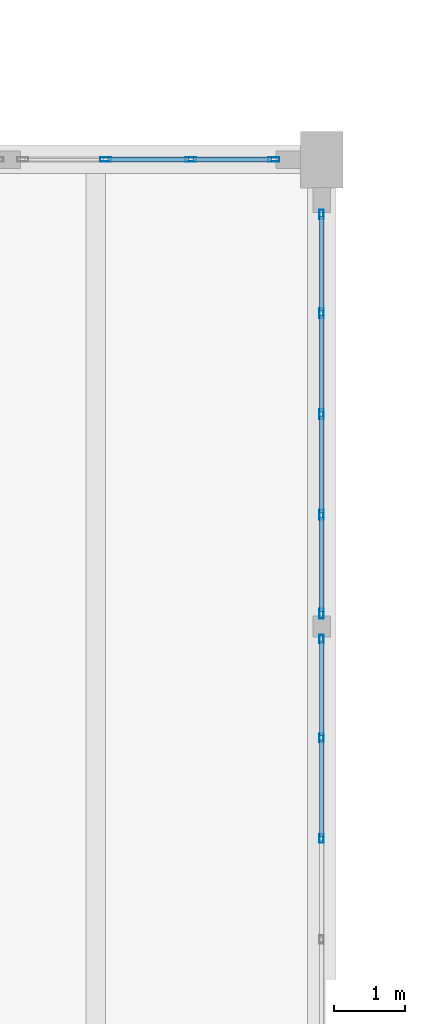
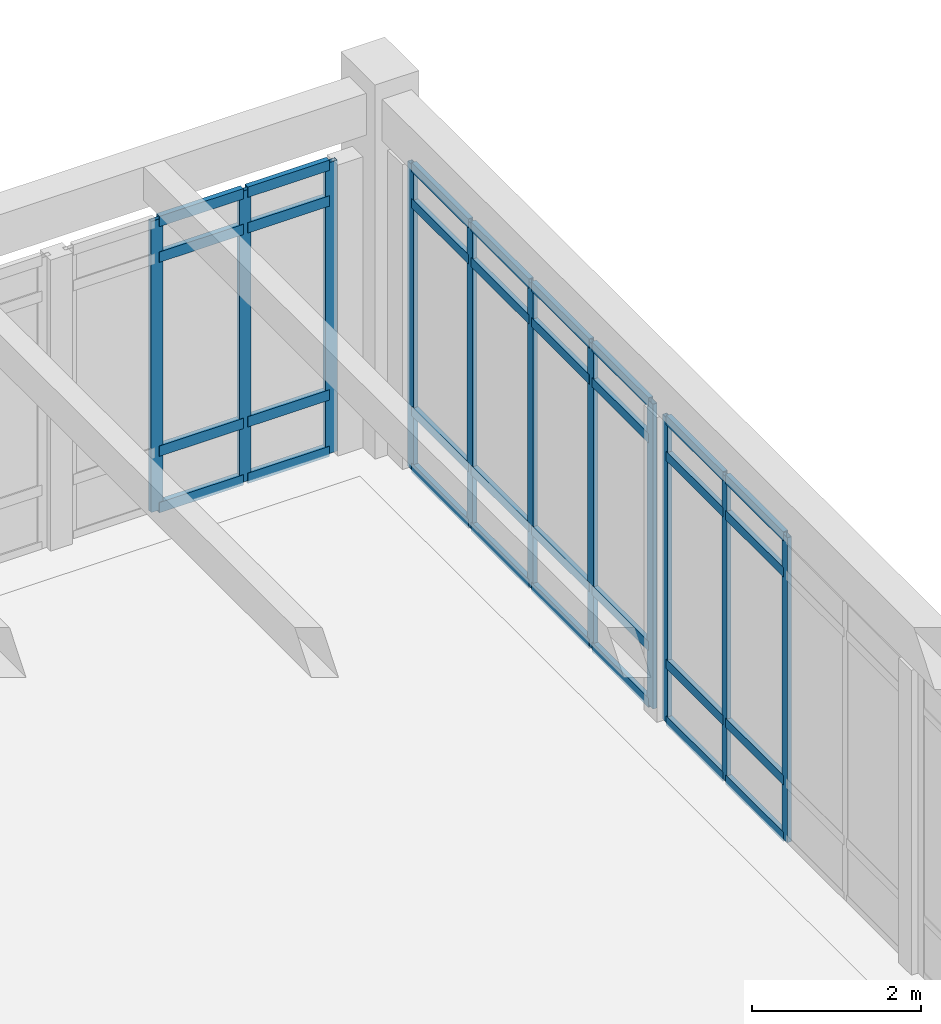
# One storey, part 76 of 138: 43 members, 3 elements without a shape of their own.
"""IFC4 building model written with IfcOpenShell, lengths in metres."""

from ifc_helpers import new_model, si_unit, direction, frame, origin, origin_2d, place, context, subcontext, project, spatial, hollow_rectangle, extrude, material, layer, layer_set, material_profile, profile_set, type_object, element, aggregate, save


model = new_model("IFC4")

# Units and contexts
model_context = context("Model", 3, precision=1e-05, world=origin(), true_north=direction((0.0, 1.0)))
body_context = subcontext(model_context, "Body", "Model", "MODEL_VIEW")
ifc_project = project(units=[si_unit("LENGTHUNIT", "METRE"), si_unit("AREAUNIT", "SQUARE_METRE"), si_unit("VOLUMEUNIT", "CUBIC_METRE"), si_unit("PLANEANGLEUNIT", "RADIAN"), si_unit("MASSUNIT", "GRAM", prefix="KILO")], contexts=[model_context])

# Site, building, storey
site_placement = place(None, origin())
site = spatial("IfcSite", under=ifc_project, at=site_placement, CompositionType="ELEMENT")
building_placement = place(site_placement, origin())
building = spatial("IfcBuilding", under=site, at=building_placement, Name="Fikremerkos Civic Library", CompositionType="ELEMENT")
storey_placement = place(building_placement, origin())
storey = spatial("IfcBuildingStorey", under=building, at=storey_placement, Name="L00", CompositionType="ELEMENT", Elevation=0.0)

# Curtain wall, members
ifc_material = material(Name="Anodized aluminium Frame", Category="aluminium")
ifc_layer_1 = layer(ifc_material, 0.159912109375, Name="Anodized aluminium Frame")
ifc_layer_set_1 = layer_set([ifc_layer_1], Name="Anodized aluminium Frame")
curtain_wall_type_1 = type_object("IfcCurtainWallType", Name="Unitised curtain wall CW-10 4000x3400", PredefinedType="USERDEFINED", material=ifc_layer_set_1)
curtain_wall_1_placement = place(storey_placement, origin())
curtain_wall_1 = element("IfcCurtainWall", 1, at=curtain_wall_1_placement, inside=storey, type_object=curtain_wall_type_1, Name="Unitised curtain wall CW-10 L00 #64", ObjectType="UNITISED CURTAIN WALL", PredefinedType="USERDEFINED")
ifc_material_profile_1 = material_profile(ifc_material, hollow_rectangle(XDim=0.06005859375, YDim=0.159912109375, WallThickness=0.00390625, at=origin_2d()), Name="ALU 160x60x4")
ifc_profile_set_1 = profile_set([ifc_material_profile_1], Name="Anodized aluminium Frame")
member_type_1 = type_object("IfcMemberType", Name="Curtain mullion CWM-02 ALU 160x60x4", PredefinedType="MULLION", material=ifc_profile_set_1)
member_1_placement = place(storey_placement, frame((144.139892578125, 76.800048828125, 0.0), z_axis=(0.0, 0.0, 1.0), x_axis=(0.0, 1.0, 0.0)))
member_1 = element("IfcMember", 2, at=member_1_placement, type_object=member_type_1, Name="CW-10 mullion 2", PredefinedType="MULLION", context=body_context, shape_type="SweptSolid", body=[
    extrude(hollow_rectangle(XDim=0.06005859375, YDim=0.159912109375, WallThickness=0.00390625, at=origin_2d()), origin(), (0.0, 0.0, 1.0), 4.199951171875),
])
member_2_placement = place(storey_placement, frame((145.345947265625, 76.800048828125, 0.0), z_axis=(0.0, 0.0, 1.0), x_axis=(0.0, 1.0, 0.0)))
member_2 = element("IfcMember", 3, at=member_2_placement, type_object=member_type_1, Name="CW-10 mullion 3", PredefinedType="MULLION", context=body_context, shape_type="SweptSolid", body=[
    extrude(hollow_rectangle(XDim=0.06005859375, YDim=0.159912109375, WallThickness=0.00390625, at=origin_2d()), origin(), (0.0, 0.0, 1.0), 4.199951171875),
])
member_3_placement = place(storey_placement, frame((146.52197265625, 76.800048828125, 0.0), z_axis=(0.0, 0.0, 1.0), x_axis=(0.0, 1.0, 0.0)))
member_3 = element("IfcMember", 4, at=member_3_placement, type_object=member_type_1, Name="CW-10 mullion 4", PredefinedType="MULLION", context=body_context, shape_type="SweptSolid", body=[
    extrude(hollow_rectangle(XDim=0.06005859375, YDim=0.159912109375, WallThickness=0.00390625, at=origin_2d()), origin(), (0.0, 0.0, 1.0), 4.199951171875),
])

ifc_layer_2 = layer(ifc_material, 0.159912109375, Name="Anodized aluminium Frame")
ifc_layer_set_2 = layer_set([ifc_layer_2], Name="Anodized aluminium Frame")
curtain_wall_type_2 = type_object("IfcCurtainWallType", Name="Unitised curtain wall CW-11 3200x3400", PredefinedType="USERDEFINED", material=ifc_layer_set_2)
curtain_wall_2_placement = place(storey_placement, origin())
curtain_wall_2 = element("IfcCurtainWall", 5, at=curtain_wall_2_placement, inside=storey, type_object=curtain_wall_type_2, Name="Unitised curtain wall CW-11 L00 #65", ObjectType="UNITISED CURTAIN WALL", PredefinedType="USERDEFINED")
ifc_material_profile_2 = material_profile(ifc_material, hollow_rectangle(XDim=0.06005859375, YDim=0.139892578125, WallThickness=0.00390625, at=origin_2d()), Name="ALU 140x60x4")
ifc_profile_set_2 = profile_set([ifc_material_profile_2], Name="Anodized aluminium Frame")
member_type_2 = type_object("IfcMemberType", Name="Curtain mullion CWM-03 ALU 140x60x4", PredefinedType="MULLION", material=ifc_profile_set_2)
member_4_placement = place(storey_placement, frame((147.199951171875, 76.02197265625, 0.0), z_axis=(0.0, 0.0, 1.0), x_axis=(1.0, 0.0, 0.0)))
member_4 = element("IfcMember", 6, at=member_4_placement, type_object=member_type_2, Name="CW-11 mullion 1", PredefinedType="MULLION", context=body_context, shape_type="SweptSolid", body=[
    extrude(hollow_rectangle(XDim=0.06005859375, YDim=0.139892578125, WallThickness=0.00390625, at=origin_2d()), origin(), (0.0, 0.0, 1.0), 4.39990234375),
])
member_5_placement = place(storey_placement, frame((147.199951171875, 74.62255859375, 0.0), z_axis=(0.0, 0.0, 1.0), x_axis=(1.0, 0.0, 0.0)))
member_5 = element("IfcMember", 7, at=member_5_placement, type_object=member_type_2, Name="CW-11 mullion 2", PredefinedType="MULLION", context=body_context, shape_type="SweptSolid", body=[
    extrude(hollow_rectangle(XDim=0.06005859375, YDim=0.139892578125, WallThickness=0.00390625, at=origin_2d()), origin(), (0.0, 0.0, 1.0), 4.39990234375),
])
member_6_placement = place(storey_placement, frame((147.199951171875, 73.193115234375, 0.0), z_axis=(0.0, 0.0, 1.0), x_axis=(1.0, 0.0, 0.0)))
member_6 = element("IfcMember", 8, at=member_6_placement, type_object=member_type_2, Name="CW-11 mullion 3", PredefinedType="MULLION", context=body_context, shape_type="SweptSolid", body=[
    extrude(hollow_rectangle(XDim=0.06005859375, YDim=0.139892578125, WallThickness=0.00390625, at=origin_2d()), origin(), (0.0, 0.0, 1.0), 4.39990234375),
])
member_7_placement = place(storey_placement, frame((147.199951171875, 71.763427734375, 0.0), z_axis=(0.0, 0.0, 1.0), x_axis=(1.0, 0.0, 0.0)))
member_7 = element("IfcMember", 9, at=member_7_placement, type_object=member_type_2, Name="CW-11 mullion 4", PredefinedType="MULLION", context=body_context, shape_type="SweptSolid", body=[
    extrude(hollow_rectangle(XDim=0.06005859375, YDim=0.139892578125, WallThickness=0.00390625, at=origin_2d()), origin(), (0.0, 0.0, 1.0), 4.39990234375),
])
member_8_placement = place(storey_placement, frame((147.199951171875, 70.364013671875, 0.0), z_axis=(0.0, 0.0, 1.0), x_axis=(1.0, 0.0, 0.0)))
member_8 = element("IfcMember", 10, at=member_8_placement, type_object=member_type_2, Name="CW-11 mullion 5", PredefinedType="MULLION", context=body_context, shape_type="SweptSolid", body=[
    extrude(hollow_rectangle(XDim=0.06005859375, YDim=0.139892578125, WallThickness=0.00390625, at=origin_2d()), origin(), (0.0, 0.0, 1.0), 4.39990234375),
])

ifc_layer_3 = layer(ifc_material, 0.159912109375, Name="Anodized aluminium Frame")
ifc_layer_set_3 = layer_set([ifc_layer_3], Name="Anodized aluminium Frame")
curtain_wall_type_3 = type_object("IfcCurtainWallType", Name="Unitised curtain wall CW-12 4300x3400", PredefinedType="USERDEFINED", material=ifc_layer_set_3)
curtain_wall_3_placement = place(storey_placement, origin())
curtain_wall_3 = element("IfcCurtainWall", 11, at=curtain_wall_3_placement, inside=storey, type_object=curtain_wall_type_3, Name="Unitised curtain wall CW-12 L00 #66", ObjectType="UNITISED CURTAIN WALL", PredefinedType="USERDEFINED")
ifc_material_profile_3 = material_profile(ifc_material, hollow_rectangle(XDim=0.06005859375, YDim=0.1201171875, WallThickness=0.00390625, at=origin_2d()), Name="ALU 120x60x4")
ifc_profile_set_3 = profile_set([ifc_material_profile_3], Name="Anodized aluminium Frame")
member_type_3 = type_object("IfcMemberType", Name="Curtain mullion CWM-04 ALU 120x60x4", PredefinedType="MULLION", material=ifc_profile_set_3)
member_9_placement = place(storey_placement, frame((147.199951171875, 70.00390625, 0.0), z_axis=(0.0, 0.0, 1.0), x_axis=(1.0, 0.0, 0.0)))
member_9 = element("IfcMember", 12, at=member_9_placement, type_object=member_type_3, Name="CW-12 mullion 1", PredefinedType="MULLION", context=body_context, shape_type="SweptSolid", body=[
    extrude(hollow_rectangle(XDim=0.06005859375, YDim=0.1201171875, WallThickness=0.00390625, at=origin_2d()), origin(), (0.0, 0.0, 1.0), 4.39990234375),
])
member_10_placement = place(storey_placement, frame((147.199951171875, 68.6044921875, 0.0), z_axis=(0.0, 0.0, 1.0), x_axis=(1.0, 0.0, 0.0)))
member_10 = element("IfcMember", 13, at=member_10_placement, type_object=member_type_3, Name="CW-12 mullion 2", PredefinedType="MULLION", context=body_context, shape_type="SweptSolid", body=[
    extrude(hollow_rectangle(XDim=0.06005859375, YDim=0.1201171875, WallThickness=0.00390625, at=origin_2d()), origin(), (0.0, 0.0, 1.0), 4.39990234375),
])
member_11_placement = place(storey_placement, frame((147.199951171875, 67.175048828125, 0.0), z_axis=(0.0, 0.0, 1.0), x_axis=(1.0, 0.0, 0.0)))
member_11 = element("IfcMember", 14, at=member_11_placement, type_object=member_type_3, Name="CW-12 mullion 3", PredefinedType="MULLION", context=body_context, shape_type="SweptSolid", body=[
    extrude(hollow_rectangle(XDim=0.06005859375, YDim=0.1201171875, WallThickness=0.00390625, at=origin_2d()), origin(), (0.0, 0.0, 1.0), 4.39990234375),
])

# Member
ifc_material_profile_4 = material_profile(ifc_material, hollow_rectangle(XDim=0.070068359375, YDim=0.14990234375, WallThickness=0.00439453125, at=origin_2d()), Name="ALU 150x70x4.5")
ifc_profile_set_4 = profile_set([ifc_material_profile_4], Name="Anodized aluminium Frame")
member_type_4 = type_object("IfcMemberType", Name="Curtain transom CWT-01 ALU 150x70x4.5", PredefinedType="USERDEFINED", material=ifc_profile_set_4)
member_12_placement = place(storey_placement, frame((144.169921875, 76.800048828125, 0.034912109375), z_axis=(1.0, 0.0, 0.0), x_axis=(0.0, 1.0, 0.0)))
member_12 = element("IfcMember", 15, at=member_12_placement, type_object=member_type_4, Name="CW-10 transom 2.1", ObjectType="TRANSOM", PredefinedType="USERDEFINED", context=body_context, shape_type="SweptSolid", body=[
    extrude(hollow_rectangle(XDim=0.070068359375, YDim=0.14990234375, WallThickness=0.00439453125, at=origin_2d()), origin(), (0.0, 0.0, 1.0), 1.14599609375),
])

member_13_placement = place(storey_placement, frame((144.169921875, 76.800048828125, 0.85009765625), z_axis=(1.0, 0.0, 0.0), x_axis=(0.0, 1.0, 0.0)))
member_13 = element("IfcMember", 16, at=member_13_placement, type_object=member_type_4, Name="CW-10 transom 2.2", ObjectType="TRANSOM", PredefinedType="USERDEFINED", context=body_context, shape_type="SweptSolid", body=[
    extrude(hollow_rectangle(XDim=0.070068359375, YDim=0.14990234375, WallThickness=0.00439453125, at=origin_2d()), origin(), (0.0, 0.0, 1.0), 1.14599609375),
])

member_14_placement = place(storey_placement, frame((144.169921875, 76.800048828125, 3.64990234375), z_axis=(1.0, 0.0, 0.0), x_axis=(0.0, 1.0, 0.0)))
member_14 = element("IfcMember", 17, at=member_14_placement, type_object=member_type_4, Name="CW-10 transom 2.3", ObjectType="TRANSOM", PredefinedType="USERDEFINED", context=body_context, shape_type="SweptSolid", body=[
    extrude(hollow_rectangle(XDim=0.070068359375, YDim=0.14990234375, WallThickness=0.00439453125, at=origin_2d()), origin(), (0.0, 0.0, 1.0), 1.14599609375),
])

member_15_placement = place(storey_placement, frame((144.169921875, 76.800048828125, 4.1650390625), z_axis=(1.0, 0.0, 0.0), x_axis=(0.0, 1.0, 0.0)))
member_15 = element("IfcMember", 18, at=member_15_placement, type_object=member_type_4, Name="CW-10 transom 2.4", ObjectType="TRANSOM", PredefinedType="USERDEFINED", context=body_context, shape_type="SweptSolid", body=[
    extrude(hollow_rectangle(XDim=0.070068359375, YDim=0.14990234375, WallThickness=0.00439453125, at=origin_2d()), origin(), (0.0, 0.0, 1.0), 1.14599609375),
])

member_16_placement = place(storey_placement, frame((145.3759765625, 76.800048828125, 0.034912109375), z_axis=(1.0, 0.0, 0.0), x_axis=(0.0, 1.0, 0.0)))
member_16 = element("IfcMember", 19, at=member_16_placement, type_object=member_type_4, Name="CW-10 transom 3.1", ObjectType="TRANSOM", PredefinedType="USERDEFINED", context=body_context, shape_type="SweptSolid", body=[
    extrude(hollow_rectangle(XDim=0.070068359375, YDim=0.14990234375, WallThickness=0.00439453125, at=origin_2d()), origin(), (0.0, 0.0, 1.0), 1.115966796875),
])

member_17_placement = place(storey_placement, frame((145.3759765625, 76.800048828125, 0.85009765625), z_axis=(1.0, 0.0, 0.0), x_axis=(0.0, 1.0, 0.0)))
member_17 = element("IfcMember", 20, at=member_17_placement, type_object=member_type_4, Name="CW-10 transom 3.2", ObjectType="TRANSOM", PredefinedType="USERDEFINED", context=body_context, shape_type="SweptSolid", body=[
    extrude(hollow_rectangle(XDim=0.070068359375, YDim=0.14990234375, WallThickness=0.00439453125, at=origin_2d()), origin(), (0.0, 0.0, 1.0), 1.115966796875),
])

member_18_placement = place(storey_placement, frame((145.3759765625, 76.800048828125, 3.64990234375), z_axis=(1.0, 0.0, 0.0), x_axis=(0.0, 1.0, 0.0)))
member_18 = element("IfcMember", 21, at=member_18_placement, type_object=member_type_4, Name="CW-10 transom 3.3", ObjectType="TRANSOM", PredefinedType="USERDEFINED", context=body_context, shape_type="SweptSolid", body=[
    extrude(hollow_rectangle(XDim=0.070068359375, YDim=0.14990234375, WallThickness=0.00439453125, at=origin_2d()), origin(), (0.0, 0.0, 1.0), 1.115966796875),
])

member_19_placement = place(storey_placement, frame((145.3759765625, 76.800048828125, 4.1650390625), z_axis=(1.0, 0.0, 0.0), x_axis=(0.0, 1.0, 0.0)))
member_19 = element("IfcMember", 22, at=member_19_placement, type_object=member_type_4, Name="CW-10 transom 3.4", ObjectType="TRANSOM", PredefinedType="USERDEFINED", context=body_context, shape_type="SweptSolid", body=[
    extrude(hollow_rectangle(XDim=0.070068359375, YDim=0.14990234375, WallThickness=0.00439453125, at=origin_2d()), origin(), (0.0, 0.0, 1.0), 1.115966796875),
])

aggregate(curtain_wall_1, [member_1, member_2, member_3, member_12, member_13, member_14, member_15, member_16, member_17, member_18, member_19])

ifc_material_profile_5 = material_profile(ifc_material, hollow_rectangle(XDim=0.06494140625, YDim=0.135009765625, WallThickness=0.00439453125, at=origin_2d()), Name="ALU 135x65x4.5")
ifc_profile_set_5 = profile_set([ifc_material_profile_5], Name="Anodized aluminium Frame")
member_type_5 = type_object("IfcMemberType", Name="Curtain transom CWT-02 ALU 135x65x4.5", PredefinedType="USERDEFINED", material=ifc_profile_set_5)
member_20_placement = place(storey_placement, frame((147.199951171875, 75.991943359375, 0.032470703125), z_axis=(0.0, -1.0, 0.0), x_axis=(1.0, 0.0, 0.0)))
member_20 = element("IfcMember", 23, at=member_20_placement, type_object=member_type_5, Name="CW-11 transom 1.1", ObjectType="TRANSOM", PredefinedType="USERDEFINED", context=body_context, shape_type="SweptSolid", body=[
    extrude(hollow_rectangle(XDim=0.06494140625, YDim=0.135009765625, WallThickness=0.00439453125, at=origin_2d()), origin(), (0.0, 0.0, 1.0), 1.33935546875),
])

member_21_placement = place(storey_placement, frame((147.199951171875, 75.991943359375, 0.85009765625), z_axis=(0.0, -1.0, 0.0), x_axis=(1.0, 0.0, 0.0)))
member_21 = element("IfcMember", 24, at=member_21_placement, type_object=member_type_5, Name="CW-11 transom 1.2", ObjectType="TRANSOM", PredefinedType="USERDEFINED", context=body_context, shape_type="SweptSolid", body=[
    extrude(hollow_rectangle(XDim=0.06494140625, YDim=0.135009765625, WallThickness=0.00439453125, at=origin_2d()), origin(), (0.0, 0.0, 1.0), 1.33935546875),
])

member_22_placement = place(storey_placement, frame((147.199951171875, 75.991943359375, 3.85009765625), z_axis=(0.0, -1.0, 0.0), x_axis=(1.0, 0.0, 0.0)))
member_22 = element("IfcMember", 25, at=member_22_placement, type_object=member_type_5, Name="CW-11 transom 1.3", ObjectType="TRANSOM", PredefinedType="USERDEFINED", context=body_context, shape_type="SweptSolid", body=[
    extrude(hollow_rectangle(XDim=0.06494140625, YDim=0.135009765625, WallThickness=0.00439453125, at=origin_2d()), origin(), (0.0, 0.0, 1.0), 1.33935546875),
])

member_23_placement = place(storey_placement, frame((147.199951171875, 75.991943359375, 4.367431640625), z_axis=(0.0, -1.0, 0.0), x_axis=(1.0, 0.0, 0.0)))
member_23 = element("IfcMember", 26, at=member_23_placement, type_object=member_type_5, Name="CW-11 transom 1.4", ObjectType="TRANSOM", PredefinedType="USERDEFINED", context=body_context, shape_type="SweptSolid", body=[
    extrude(hollow_rectangle(XDim=0.06494140625, YDim=0.135009765625, WallThickness=0.00439453125, at=origin_2d()), origin(), (0.0, 0.0, 1.0), 1.33935546875),
])

member_24_placement = place(storey_placement, frame((147.199951171875, 74.592529296875, 0.032470703125), z_axis=(0.0, -1.0, 0.0), x_axis=(1.0, 0.0, 0.0)))
member_24 = element("IfcMember", 27, at=member_24_placement, type_object=member_type_5, Name="CW-11 transom 2.1", ObjectType="TRANSOM", PredefinedType="USERDEFINED", context=body_context, shape_type="SweptSolid", body=[
    extrude(hollow_rectangle(XDim=0.06494140625, YDim=0.135009765625, WallThickness=0.00439453125, at=origin_2d()), origin(), (0.0, 0.0, 1.0), 1.36962890625),
])

member_25_placement = place(storey_placement, frame((147.199951171875, 74.592529296875, 0.85009765625), z_axis=(0.0, -1.0, 0.0), x_axis=(1.0, 0.0, 0.0)))
member_25 = element("IfcMember", 28, at=member_25_placement, type_object=member_type_5, Name="CW-11 transom 2.2", ObjectType="TRANSOM", PredefinedType="USERDEFINED", context=body_context, shape_type="SweptSolid", body=[
    extrude(hollow_rectangle(XDim=0.06494140625, YDim=0.135009765625, WallThickness=0.00439453125, at=origin_2d()), origin(), (0.0, 0.0, 1.0), 1.36962890625),
])

member_26_placement = place(storey_placement, frame((147.199951171875, 74.592529296875, 3.85009765625), z_axis=(0.0, -1.0, 0.0), x_axis=(1.0, 0.0, 0.0)))
member_26 = element("IfcMember", 29, at=member_26_placement, type_object=member_type_5, Name="CW-11 transom 2.3", ObjectType="TRANSOM", PredefinedType="USERDEFINED", context=body_context, shape_type="SweptSolid", body=[
    extrude(hollow_rectangle(XDim=0.06494140625, YDim=0.135009765625, WallThickness=0.00439453125, at=origin_2d()), origin(), (0.0, 0.0, 1.0), 1.36962890625),
])

member_27_placement = place(storey_placement, frame((147.199951171875, 74.592529296875, 4.367431640625), z_axis=(0.0, -1.0, 0.0), x_axis=(1.0, 0.0, 0.0)))
member_27 = element("IfcMember", 30, at=member_27_placement, type_object=member_type_5, Name="CW-11 transom 2.4", ObjectType="TRANSOM", PredefinedType="USERDEFINED", context=body_context, shape_type="SweptSolid", body=[
    extrude(hollow_rectangle(XDim=0.06494140625, YDim=0.135009765625, WallThickness=0.00439453125, at=origin_2d()), origin(), (0.0, 0.0, 1.0), 1.36962890625),
])

member_28_placement = place(storey_placement, frame((147.199951171875, 73.1630859375, 0.032470703125), z_axis=(0.0, -1.0, 0.0), x_axis=(1.0, 0.0, 0.0)))
member_28 = element("IfcMember", 31, at=member_28_placement, type_object=member_type_5, Name="CW-11 transom 3.1", ObjectType="TRANSOM", PredefinedType="USERDEFINED", context=body_context, shape_type="SweptSolid", body=[
    extrude(hollow_rectangle(XDim=0.06494140625, YDim=0.135009765625, WallThickness=0.00439453125, at=origin_2d()), origin(), (0.0, 0.0, 1.0), 1.36962890625),
])

member_29_placement = place(storey_placement, frame((147.199951171875, 73.1630859375, 0.85009765625), z_axis=(0.0, -1.0, 0.0), x_axis=(1.0, 0.0, 0.0)))
member_29 = element("IfcMember", 32, at=member_29_placement, type_object=member_type_5, Name="CW-11 transom 3.2", ObjectType="TRANSOM", PredefinedType="USERDEFINED", context=body_context, shape_type="SweptSolid", body=[
    extrude(hollow_rectangle(XDim=0.06494140625, YDim=0.135009765625, WallThickness=0.00439453125, at=origin_2d()), origin(), (0.0, 0.0, 1.0), 1.36962890625),
])

member_30_placement = place(storey_placement, frame((147.199951171875, 73.1630859375, 3.85009765625), z_axis=(0.0, -1.0, 0.0), x_axis=(1.0, 0.0, 0.0)))
member_30 = element("IfcMember", 33, at=member_30_placement, type_object=member_type_5, Name="CW-11 transom 3.3", ObjectType="TRANSOM", PredefinedType="USERDEFINED", context=body_context, shape_type="SweptSolid", body=[
    extrude(hollow_rectangle(XDim=0.06494140625, YDim=0.135009765625, WallThickness=0.00439453125, at=origin_2d()), origin(), (0.0, 0.0, 1.0), 1.36962890625),
])

member_31_placement = place(storey_placement, frame((147.199951171875, 73.1630859375, 4.367431640625), z_axis=(0.0, -1.0, 0.0), x_axis=(1.0, 0.0, 0.0)))
member_31 = element("IfcMember", 34, at=member_31_placement, type_object=member_type_5, Name="CW-11 transom 3.4", ObjectType="TRANSOM", PredefinedType="USERDEFINED", context=body_context, shape_type="SweptSolid", body=[
    extrude(hollow_rectangle(XDim=0.06494140625, YDim=0.135009765625, WallThickness=0.00439453125, at=origin_2d()), origin(), (0.0, 0.0, 1.0), 1.36962890625),
])

member_32_placement = place(storey_placement, frame((147.199951171875, 71.7333984375, 0.032470703125), z_axis=(0.0, -1.0, 0.0), x_axis=(1.0, 0.0, 0.0)))
member_32 = element("IfcMember", 35, at=member_32_placement, type_object=member_type_5, Name="CW-11 transom 4.1", ObjectType="TRANSOM", PredefinedType="USERDEFINED", context=body_context, shape_type="SweptSolid", body=[
    extrude(hollow_rectangle(XDim=0.06494140625, YDim=0.135009765625, WallThickness=0.00439453125, at=origin_2d()), origin(), (0.0, 0.0, 1.0), 1.33935546875),
])

member_33_placement = place(storey_placement, frame((147.199951171875, 71.7333984375, 0.85009765625), z_axis=(0.0, -1.0, 0.0), x_axis=(1.0, 0.0, 0.0)))
member_33 = element("IfcMember", 36, at=member_33_placement, type_object=member_type_5, Name="CW-11 transom 4.2", ObjectType="TRANSOM", PredefinedType="USERDEFINED", context=body_context, shape_type="SweptSolid", body=[
    extrude(hollow_rectangle(XDim=0.06494140625, YDim=0.135009765625, WallThickness=0.00439453125, at=origin_2d()), origin(), (0.0, 0.0, 1.0), 1.33935546875),
])

member_34_placement = place(storey_placement, frame((147.199951171875, 71.7333984375, 3.85009765625), z_axis=(0.0, -1.0, 0.0), x_axis=(1.0, 0.0, 0.0)))
member_34 = element("IfcMember", 37, at=member_34_placement, type_object=member_type_5, Name="CW-11 transom 4.3", ObjectType="TRANSOM", PredefinedType="USERDEFINED", context=body_context, shape_type="SweptSolid", body=[
    extrude(hollow_rectangle(XDim=0.06494140625, YDim=0.135009765625, WallThickness=0.00439453125, at=origin_2d()), origin(), (0.0, 0.0, 1.0), 1.33935546875),
])

member_35_placement = place(storey_placement, frame((147.199951171875, 71.7333984375, 4.367431640625), z_axis=(0.0, -1.0, 0.0), x_axis=(1.0, 0.0, 0.0)))
member_35 = element("IfcMember", 38, at=member_35_placement, type_object=member_type_5, Name="CW-11 transom 4.4", ObjectType="TRANSOM", PredefinedType="USERDEFINED", context=body_context, shape_type="SweptSolid", body=[
    extrude(hollow_rectangle(XDim=0.06494140625, YDim=0.135009765625, WallThickness=0.00439453125, at=origin_2d()), origin(), (0.0, 0.0, 1.0), 1.33935546875),
])

aggregate(curtain_wall_2, [member_4, member_5, member_6, member_7, member_8, member_20, member_21, member_22, member_23, member_24, member_25, member_26, member_27, member_28, member_29, member_30, member_31, member_32, member_33, member_34, member_35])

member_36_placement = place(storey_placement, frame((147.199951171875, 69.97412109375, 0.032470703125), z_axis=(0.0, -1.0, 0.0), x_axis=(1.0, 0.0, 0.0)))
member_36 = element("IfcMember", 39, at=member_36_placement, type_object=member_type_5, Name="CW-12 transom 1.1", ObjectType="TRANSOM", PredefinedType="USERDEFINED", context=body_context, shape_type="SweptSolid", body=[
    extrude(hollow_rectangle(XDim=0.06494140625, YDim=0.135009765625, WallThickness=0.00439453125, at=origin_2d()), origin(), (0.0, 0.0, 1.0), 1.339599609375),
])

member_37_placement = place(storey_placement, frame((147.199951171875, 69.97412109375, 0.85009765625), z_axis=(0.0, -1.0, 0.0), x_axis=(1.0, 0.0, 0.0)))
member_37 = element("IfcMember", 40, at=member_37_placement, type_object=member_type_5, Name="CW-12 transom 1.2", ObjectType="TRANSOM", PredefinedType="USERDEFINED", context=body_context, shape_type="SweptSolid", body=[
    extrude(hollow_rectangle(XDim=0.06494140625, YDim=0.135009765625, WallThickness=0.00439453125, at=origin_2d()), origin(), (0.0, 0.0, 1.0), 1.339599609375),
])

member_38_placement = place(storey_placement, frame((147.199951171875, 69.97412109375, 3.85009765625), z_axis=(0.0, -1.0, 0.0), x_axis=(1.0, 0.0, 0.0)))
member_38 = element("IfcMember", 41, at=member_38_placement, type_object=member_type_5, Name="CW-12 transom 1.3", ObjectType="TRANSOM", PredefinedType="USERDEFINED", context=body_context, shape_type="SweptSolid", body=[
    extrude(hollow_rectangle(XDim=0.06494140625, YDim=0.135009765625, WallThickness=0.00439453125, at=origin_2d()), origin(), (0.0, 0.0, 1.0), 1.339599609375),
])

member_39_placement = place(storey_placement, frame((147.199951171875, 69.97412109375, 4.367431640625), z_axis=(0.0, -1.0, 0.0), x_axis=(1.0, 0.0, 0.0)))
member_39 = element("IfcMember", 42, at=member_39_placement, type_object=member_type_5, Name="CW-12 transom 1.4", ObjectType="TRANSOM", PredefinedType="USERDEFINED", context=body_context, shape_type="SweptSolid", body=[
    extrude(hollow_rectangle(XDim=0.06494140625, YDim=0.135009765625, WallThickness=0.00439453125, at=origin_2d()), origin(), (0.0, 0.0, 1.0), 1.339599609375),
])

member_40_placement = place(storey_placement, frame((147.199951171875, 68.574462890625, 0.032470703125), z_axis=(0.0, -1.0, 0.0), x_axis=(1.0, 0.0, 0.0)))
member_40 = element("IfcMember", 43, at=member_40_placement, type_object=member_type_5, Name="CW-12 transom 2.1", ObjectType="TRANSOM", PredefinedType="USERDEFINED", context=body_context, shape_type="SweptSolid", body=[
    extrude(hollow_rectangle(XDim=0.06494140625, YDim=0.135009765625, WallThickness=0.00439453125, at=origin_2d()), origin(), (0.0, 0.0, 1.0), 1.369384765625),
])

member_41_placement = place(storey_placement, frame((147.199951171875, 68.574462890625, 0.85009765625), z_axis=(0.0, -1.0, 0.0), x_axis=(1.0, 0.0, 0.0)))
member_41 = element("IfcMember", 44, at=member_41_placement, type_object=member_type_5, Name="CW-12 transom 2.2", ObjectType="TRANSOM", PredefinedType="USERDEFINED", context=body_context, shape_type="SweptSolid", body=[
    extrude(hollow_rectangle(XDim=0.06494140625, YDim=0.135009765625, WallThickness=0.00439453125, at=origin_2d()), origin(), (0.0, 0.0, 1.0), 1.369384765625),
])

member_42_placement = place(storey_placement, frame((147.199951171875, 68.574462890625, 3.85009765625), z_axis=(0.0, -1.0, 0.0), x_axis=(1.0, 0.0, 0.0)))
member_42 = element("IfcMember", 45, at=member_42_placement, type_object=member_type_5, Name="CW-12 transom 2.3", ObjectType="TRANSOM", PredefinedType="USERDEFINED", context=body_context, shape_type="SweptSolid", body=[
    extrude(hollow_rectangle(XDim=0.06494140625, YDim=0.135009765625, WallThickness=0.00439453125, at=origin_2d()), origin(), (0.0, 0.0, 1.0), 1.369384765625),
])

member_43_placement = place(storey_placement, frame((147.199951171875, 68.574462890625, 4.367431640625), z_axis=(0.0, -1.0, 0.0), x_axis=(1.0, 0.0, 0.0)))
member_43 = element("IfcMember", 46, at=member_43_placement, type_object=member_type_5, Name="CW-12 transom 2.4", ObjectType="TRANSOM", PredefinedType="USERDEFINED", context=body_context, shape_type="SweptSolid", body=[
    extrude(hollow_rectangle(XDim=0.06494140625, YDim=0.135009765625, WallThickness=0.00439453125, at=origin_2d()), origin(), (0.0, 0.0, 1.0), 1.369384765625),
])

aggregate(curtain_wall_3, [member_9, member_10, member_11, member_36, member_37, member_38, member_39, member_40, member_41, member_42, member_43])

save(model, "model.ifc")
